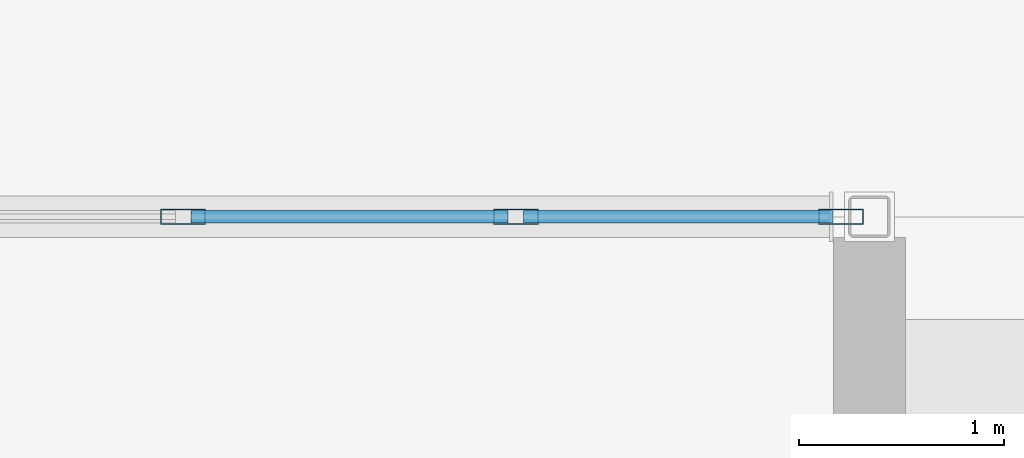
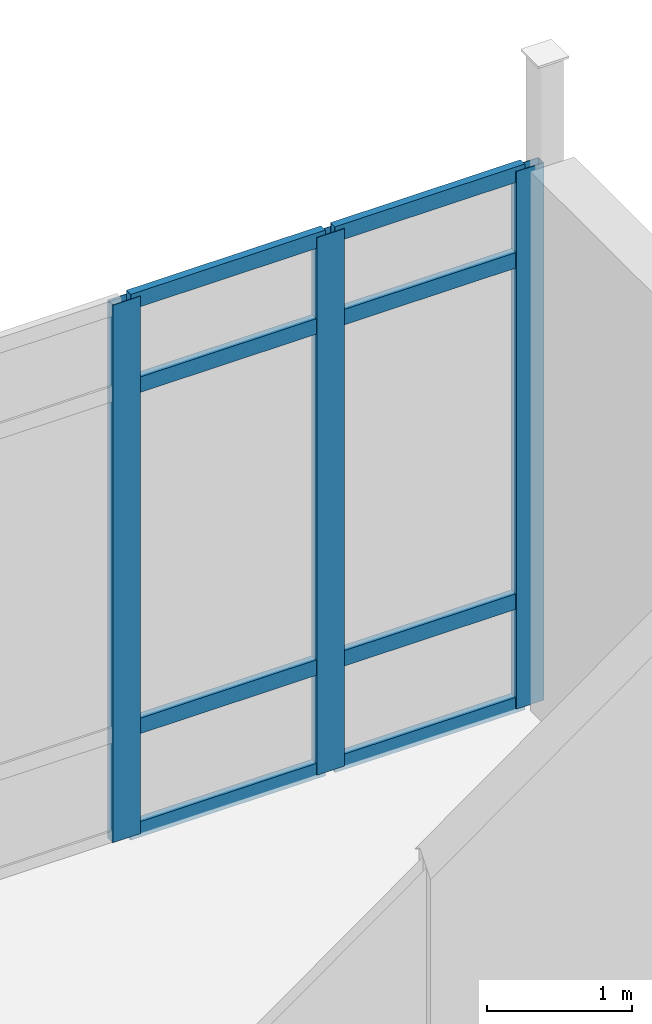
# One storey, part 111 of 229: 11 members, 1 element without a shape of its own.
"""IFC4 building model written with IfcOpenShell, lengths in metres."""

from ifc_helpers import new_model, si_unit, direction, frame, origin, origin_2d, place, context, subcontext, project, spatial, hollow_rectangle, extrude, material, layer, layer_set, material_profile, profile_set, type_object, element, aggregate, save


model = new_model("IFC4")

# Units and contexts
model_context = context("Model", 3, precision=1e-05, world=origin(), true_north=direction((0.0, 1.0)))
body_context = subcontext(model_context, "Body", "Model", "MODEL_VIEW")
ifc_project = project(units=[si_unit("LENGTHUNIT", "METRE"), si_unit("AREAUNIT", "SQUARE_METRE"), si_unit("VOLUMEUNIT", "CUBIC_METRE"), si_unit("PLANEANGLEUNIT", "RADIAN"), si_unit("MASSUNIT", "GRAM", prefix="KILO")], contexts=[model_context])

# Site, building, storey
site_placement = place(None, origin())
site = spatial("IfcSite", under=ifc_project, at=site_placement, CompositionType="ELEMENT")
building_placement = place(site_placement, origin())
building = spatial("IfcBuilding", under=site, at=building_placement, Name="Calvrana Isthmian Art Gallery", CompositionType="ELEMENT")
storey_placement = place(building_placement, origin())
storey = spatial("IfcBuildingStorey", under=building, at=storey_placement, Name="L00", CompositionType="ELEMENT", Elevation=0.0)

# Curtain wall, members
ifc_material = material(Name="Anodized bronze aluminium 6063-T6", Category="aluminium")
ifc_layer = layer(ifc_material, 0.179931640625, Name="Anodized bronze aluminium 6063-T6")
ifc_layer_set = layer_set([ifc_layer], Name="Anodized bronze aluminium 6063-T6")
curtain_wall_type = type_object("IfcCurtainWallType", Name="CW-UNIT-081X45", PredefinedType="USERDEFINED", material=ifc_layer_set)
curtain_wall_placement = place(storey_placement, origin())
curtain_wall = element("IfcCurtainWall", 1, at=curtain_wall_placement, inside=storey, type_object=curtain_wall_type, Name="Curtain wall CW-046", ObjectType="UNITISED CURTAIN WALL", PredefinedType="USERDEFINED")
ifc_material_profile_1 = material_profile(ifc_material, hollow_rectangle(XDim=0.074951171875, YDim=0.219970703125, WallThickness=0.0048828125, at=origin_2d()), Name="CWM75X220")
ifc_profile_set_1 = profile_set([ifc_material_profile_1], Name="Anodized bronze aluminium 6063-T6")
member_type_1 = type_object("IfcMemberType", Name="CWM-CWM75X220", PredefinedType="MULLION", material=ifc_profile_set_1)
member_1_placement = place(storey_placement, frame((68.652587890625, 112.800048828125, 0.0), z_axis=(0.0, 0.0, 1.0), x_axis=(0.0, 1.0, 0.0)))
member_1 = element("IfcMember", 2, at=member_1_placement, type_object=member_type_1, Name="CW-046 mullion 4", PredefinedType="MULLION", context=body_context, shape_type="SweptSolid", body=[
    extrude(hollow_rectangle(XDim=0.074951171875, YDim=0.219970703125, WallThickness=0.0048828125, at=origin_2d()), origin(), (0.0, 0.0, 1.0), 4.51806640625),
])
member_2_placement = place(storey_placement, frame((70.275634765625, 112.800048828125, 0.0), z_axis=(0.0, 0.0, 1.0), x_axis=(0.0, 1.0, 0.0)))
member_2 = element("IfcMember", 3, at=member_2_placement, type_object=member_type_1, Name="CW-046 mullion 5", PredefinedType="MULLION", context=body_context, shape_type="SweptSolid", body=[
    extrude(hollow_rectangle(XDim=0.074951171875, YDim=0.219970703125, WallThickness=0.0048828125, at=origin_2d()), origin(), (0.0, 0.0, 1.0), 4.51806640625),
])
member_3_placement = place(storey_placement, frame((71.86083984375, 112.800048828125, 0.0), z_axis=(0.0, 0.0, 1.0), x_axis=(0.0, 1.0, 0.0)))
member_3 = element("IfcMember", 4, at=member_3_placement, type_object=member_type_1, Name="CW-046 mullion 6", PredefinedType="MULLION", context=body_context, shape_type="SweptSolid", body=[
    extrude(hollow_rectangle(XDim=0.074951171875, YDim=0.219970703125, WallThickness=0.0048828125, at=origin_2d()), origin(), (0.0, 0.0, 1.0), 4.51806640625),
])
ifc_material_profile_2 = material_profile(ifc_material, hollow_rectangle(XDim=0.06005859375, YDim=0.1298828125, WallThickness=0.00390625, at=origin_2d()), Name="CWT60X130")
ifc_profile_set_2 = profile_set([ifc_material_profile_2], Name="Anodized bronze aluminium 6063-T6")
member_type_2 = type_object("IfcMemberType", Name="CWT-CWT60X130", PredefinedType="USERDEFINED", material=ifc_profile_set_2)
member_4_placement = place(storey_placement, frame((68.690185546875, 112.800048828125, 0.030029296875), z_axis=(1.0, 0.0, 0.0), x_axis=(0.0, 1.0, 0.0)))
member_4 = element("IfcMember", 5, at=member_4_placement, type_object=member_type_2, Name="CW-046 transom 4.1", ObjectType="TRANSOM", PredefinedType="USERDEFINED", context=body_context, shape_type="SweptSolid", body=[
    extrude(hollow_rectangle(XDim=0.06005859375, YDim=0.1298828125, WallThickness=0.00390625, at=origin_2d()), origin(), (0.0, 0.0, 1.0), 1.5478515625),
])
member_5_placement = place(storey_placement, frame((68.690185546875, 112.800048828125, 0.89990234375), z_axis=(1.0, 0.0, 0.0), x_axis=(0.0, 1.0, 0.0)))
member_5 = element("IfcMember", 6, at=member_5_placement, type_object=member_type_2, Name="CW-046 transom 4.2", ObjectType="TRANSOM", PredefinedType="USERDEFINED", context=body_context, shape_type="SweptSolid", body=[
    extrude(hollow_rectangle(XDim=0.06005859375, YDim=0.1298828125, WallThickness=0.00390625, at=origin_2d()), origin(), (0.0, 0.0, 1.0), 1.5478515625),
])
member_6_placement = place(storey_placement, frame((68.690185546875, 112.800048828125, 3.76806640625), z_axis=(1.0, 0.0, 0.0), x_axis=(0.0, 1.0, 0.0)))
member_6 = element("IfcMember", 7, at=member_6_placement, type_object=member_type_2, Name="CW-046 transom 4.3", ObjectType="TRANSOM", PredefinedType="USERDEFINED", context=body_context, shape_type="SweptSolid", body=[
    extrude(hollow_rectangle(XDim=0.06005859375, YDim=0.1298828125, WallThickness=0.00390625, at=origin_2d()), origin(), (0.0, 0.0, 1.0), 1.5478515625),
])
member_7_placement = place(storey_placement, frame((68.690185546875, 112.800048828125, 4.488037109375), z_axis=(1.0, 0.0, 0.0), x_axis=(0.0, 1.0, 0.0)))
member_7 = element("IfcMember", 8, at=member_7_placement, type_object=member_type_2, Name="CW-046 transom 4.4", ObjectType="TRANSOM", PredefinedType="USERDEFINED", context=body_context, shape_type="SweptSolid", body=[
    extrude(hollow_rectangle(XDim=0.06005859375, YDim=0.1298828125, WallThickness=0.00390625, at=origin_2d()), origin(), (0.0, 0.0, 1.0), 1.5478515625),
])
member_8_placement = place(storey_placement, frame((70.31298828125, 112.800048828125, 0.030029296875), z_axis=(1.0, 0.0, 0.0), x_axis=(0.0, 1.0, 0.0)))
member_8 = element("IfcMember", 9, at=member_8_placement, type_object=member_type_2, Name="CW-046 transom 5.1", ObjectType="TRANSOM", PredefinedType="USERDEFINED", context=body_context, shape_type="SweptSolid", body=[
    extrude(hollow_rectangle(XDim=0.06005859375, YDim=0.1298828125, WallThickness=0.00390625, at=origin_2d()), origin(), (0.0, 0.0, 1.0), 1.510498046875),
])
member_9_placement = place(storey_placement, frame((70.31298828125, 112.800048828125, 0.89990234375), z_axis=(1.0, 0.0, 0.0), x_axis=(0.0, 1.0, 0.0)))
member_9 = element("IfcMember", 10, at=member_9_placement, type_object=member_type_2, Name="CW-046 transom 5.2", ObjectType="TRANSOM", PredefinedType="USERDEFINED", context=body_context, shape_type="SweptSolid", body=[
    extrude(hollow_rectangle(XDim=0.06005859375, YDim=0.1298828125, WallThickness=0.00390625, at=origin_2d()), origin(), (0.0, 0.0, 1.0), 1.510498046875),
])
member_10_placement = place(storey_placement, frame((70.31298828125, 112.800048828125, 3.76806640625), z_axis=(1.0, 0.0, 0.0), x_axis=(0.0, 1.0, 0.0)))
member_10 = element("IfcMember", 11, at=member_10_placement, type_object=member_type_2, Name="CW-046 transom 5.3", ObjectType="TRANSOM", PredefinedType="USERDEFINED", context=body_context, shape_type="SweptSolid", body=[
    extrude(hollow_rectangle(XDim=0.06005859375, YDim=0.1298828125, WallThickness=0.00390625, at=origin_2d()), origin(), (0.0, 0.0, 1.0), 1.510498046875),
])
member_11_placement = place(storey_placement, frame((70.31298828125, 112.800048828125, 4.488037109375), z_axis=(1.0, 0.0, 0.0), x_axis=(0.0, 1.0, 0.0)))
member_11 = element("IfcMember", 12, at=member_11_placement, type_object=member_type_2, Name="CW-046 transom 5.4", ObjectType="TRANSOM", PredefinedType="USERDEFINED", context=body_context, shape_type="SweptSolid", body=[
    extrude(hollow_rectangle(XDim=0.06005859375, YDim=0.1298828125, WallThickness=0.00390625, at=origin_2d()), origin(), (0.0, 0.0, 1.0), 1.510498046875),
])
aggregate(curtain_wall, [member_1, member_2, member_3, member_4, member_5, member_6, member_7, member_8, member_9, member_10, member_11])

save(model, "model.ifc")
